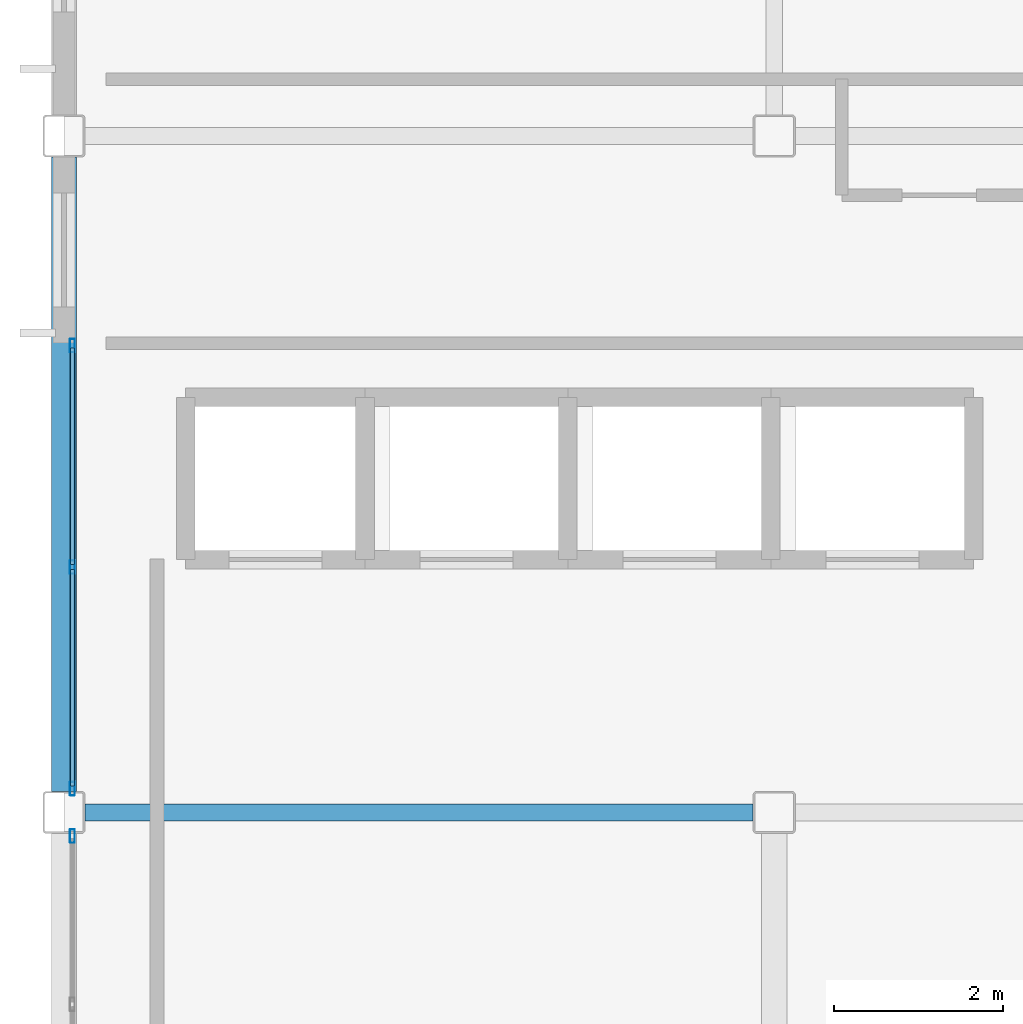
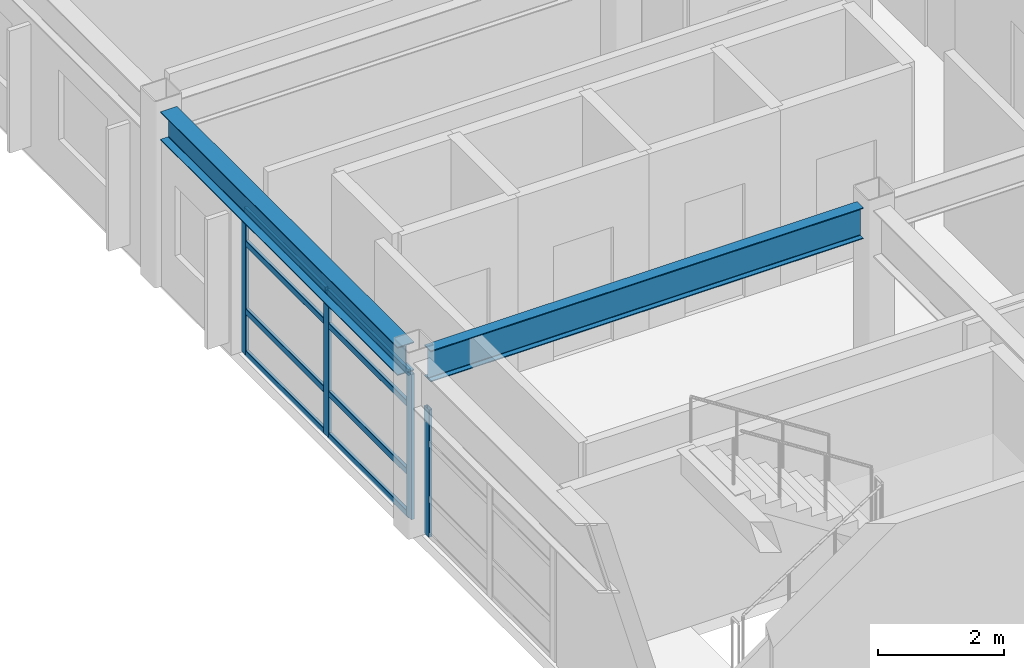
# One storey, part 16 of 35: 12 members, 2 beams, 2 elements without a shape of their own.
"""IFC4 building model written with IfcOpenShell, lengths in metres."""

from ifc_helpers import new_model, si_unit, direction, frame, origin, origin_2d, place, context, subcontext, project, spatial, hollow_rectangle, i_section, extrude, material, layer, layer_set, material_profile, profile_set, type_object, element, aggregate, save


model = new_model("IFC4")

# Units and contexts
model_context = context("Model", 3, precision=1e-05, world=origin(), true_north=direction((0.0, 1.0)))
body_context = subcontext(model_context, "Body", "Model", "MODEL_VIEW")
ifc_project = project(units=[si_unit("LENGTHUNIT", "METRE"), si_unit("AREAUNIT", "SQUARE_METRE"), si_unit("VOLUMEUNIT", "CUBIC_METRE"), si_unit("PLANEANGLEUNIT", "RADIAN"), si_unit("MASSUNIT", "GRAM", prefix="KILO")], contexts=[model_context])

# Site, building, storey
site_placement = place(None, origin())
site = spatial("IfcSite", under=ifc_project, at=site_placement, CompositionType="ELEMENT")
building_placement = place(site_placement, origin())
building = spatial("IfcBuilding", under=site, at=building_placement, Name="Kazehara Bluff Congress Hotel", CompositionType="ELEMENT")
storey_placement = place(building_placement, frame((0.0, 0.0, 35.39990234375)))
storey = spatial("IfcBuildingStorey", under=building, at=storey_placement, Name="L08", CompositionType="ELEMENT", Elevation=35.39990234375)

# Curtain wall, member
ifc_material_1 = material(Name="Anodised aluminium", Category="aluminium")
ifc_layer_1 = layer(ifc_material_1, 0.159912109375)
ifc_layer_set_1 = layer_set([ifc_layer_1], Name="Anodised aluminium")
curtain_wall_type_1 = type_object("IfcCurtainWallType", Name="TP-CW-191", PredefinedType="NOTDEFINED", material=ifc_layer_set_1)
curtain_wall_1_placement = place(storey_placement, origin())
curtain_wall_1 = element("IfcCurtainWall", 1, at=curtain_wall_1_placement, inside=storey, type_object=curtain_wall_type_1, Name="L08 curtain wall CW-191 CW-ENC-V5-L08-14380-5418", PredefinedType="NOTDEFINED")
ifc_material_2 = material(Name="Anodised aluminium", Category="aluminium")
ifc_material_profile_1 = material_profile(ifc_material_2, hollow_rectangle(XDim=0.06005859375, YDim=0.159912109375, WallThickness=0.00390625, InnerFilletRadius=0.00390625, OuterFilletRadius=0.008056640625, at=origin_2d()))
ifc_profile_set_1 = profile_set([ifc_material_profile_1], Name="Anodised aluminium")
member_type_1 = type_object("IfcMemberType", Name="TP-CWM-01", PredefinedType="MULLION", material=ifc_profile_set_1)
member_1_placement = place(storey_placement, frame((143.800048828125, 56.169921875, 0.0), z_axis=(0.0, 0.0, 1.0), x_axis=(-1.0, 0.0, 0.0)))
member_1 = element("IfcMember", 2, at=member_1_placement, type_object=member_type_1, Name="CW-191 mullion 3", PredefinedType="MULLION", context=body_context, shape_type="SweptSolid", body=[
    extrude(hollow_rectangle(XDim=0.06005859375, YDim=0.159912109375, WallThickness=0.00390625, InnerFilletRadius=0.00390625, OuterFilletRadius=0.008056640625, at=origin_2d()), origin(), (0.0, 0.0, 1.0), 2.455078125),
])
aggregate(curtain_wall_1, [member_1])

# Curtain wall, members
ifc_material_3 = material(Name="Anodised aluminium", Category="aluminium")
ifc_layer_2 = layer(ifc_material_3, 0.159912109375)
ifc_layer_set_2 = layer_set([ifc_layer_2], Name="Anodised aluminium")
curtain_wall_type_2 = type_object("IfcCurtainWallType", Name="TP-CW-192", PredefinedType="NOTDEFINED", material=ifc_layer_set_2)
curtain_wall_2_placement = place(storey_placement, origin())
curtain_wall_2 = element("IfcCurtainWall", 3, at=curtain_wall_2_placement, inside=storey, type_object=curtain_wall_type_2, Name="L08 curtain wall CW-192 CW-ENC-V5-L08-14380-5935", PredefinedType="NOTDEFINED")
member_2_placement = place(storey_placement, frame((143.800048828125, 56.72998046875, 0.0), z_axis=(0.0, 0.0, 1.0), x_axis=(-1.0, 0.0, 0.0)))
member_2 = element("IfcMember", 4, at=member_2_placement, type_object=member_type_1, Name="CW-192 mullion 1", PredefinedType="MULLION", context=body_context, shape_type="SweptSolid", body=[
    extrude(hollow_rectangle(XDim=0.06005859375, YDim=0.159912109375, WallThickness=0.00390625, InnerFilletRadius=0.00390625, OuterFilletRadius=0.008056640625, at=origin_2d()), origin(), (0.0, 0.0, 1.0), 2.80517578125),
])
member_3_placement = place(storey_placement, frame((143.800048828125, 59.35009765625, 0.0), z_axis=(0.0, 0.0, 1.0), x_axis=(-1.0, 0.0, 0.0)))
member_3 = element("IfcMember", 5, at=member_3_placement, type_object=member_type_1, Name="CW-192 mullion 2", PredefinedType="MULLION", context=body_context, shape_type="SweptSolid", body=[
    extrude(hollow_rectangle(XDim=0.06005859375, YDim=0.159912109375, WallThickness=0.00390625, InnerFilletRadius=0.00390625, OuterFilletRadius=0.008056640625, at=origin_2d()), origin(), (0.0, 0.0, 1.0), 2.80517578125),
])
member_4_placement = place(storey_placement, frame((143.800048828125, 61.969970703125, 0.0), z_axis=(0.0, 0.0, 1.0), x_axis=(-1.0, 0.0, 0.0)))
member_4 = element("IfcMember", 6, at=member_4_placement, type_object=member_type_1, Name="CW-192 mullion 3", PredefinedType="MULLION", context=body_context, shape_type="SweptSolid", body=[
    extrude(hollow_rectangle(XDim=0.06005859375, YDim=0.159912109375, WallThickness=0.00390625, InnerFilletRadius=0.00390625, OuterFilletRadius=0.008056640625, at=origin_2d()), origin(), (0.0, 0.0, 1.0), 2.80517578125),
])
ifc_material_4 = material(Name="Anodised aluminium", Category="aluminium")
ifc_material_profile_2 = material_profile(ifc_material_4, hollow_rectangle(XDim=0.06005859375, YDim=0.1201171875, WallThickness=0.00390625, InnerFilletRadius=0.00390625, OuterFilletRadius=0.008056640625, at=origin_2d()))
ifc_profile_set_2 = profile_set([ifc_material_profile_2], Name="Anodised aluminium")
member_type_2 = type_object("IfcMemberType", Name="TP-CWT-01", PredefinedType="USERDEFINED", material=ifc_profile_set_2)
member_5_placement = place(storey_placement, frame((143.800048828125, 56.760009765625, 0.030029296875), z_axis=(0.0, 1.0, 0.0), x_axis=(-1.0, 0.0, 0.0)))
member_5 = element("IfcMember", 7, at=member_5_placement, type_object=member_type_2, Name="CW-192 transom 1.1", ObjectType="TRANSOM", PredefinedType="USERDEFINED", context=body_context, shape_type="SweptSolid", body=[
    extrude(hollow_rectangle(XDim=0.06005859375, YDim=0.1201171875, WallThickness=0.00390625, InnerFilletRadius=0.00390625, OuterFilletRadius=0.008056640625, at=origin_2d()), origin(), (0.0, 0.0, 1.0), 2.56005859375),
])
member_6_placement = place(storey_placement, frame((143.800048828125, 56.760009765625, 0.840087890625), z_axis=(0.0, 1.0, 0.0), x_axis=(-1.0, 0.0, 0.0)))
member_6 = element("IfcMember", 8, at=member_6_placement, type_object=member_type_2, Name="CW-192 transom 1.2", ObjectType="TRANSOM", PredefinedType="USERDEFINED", context=body_context, shape_type="SweptSolid", body=[
    extrude(hollow_rectangle(XDim=0.06005859375, YDim=0.1201171875, WallThickness=0.00390625, InnerFilletRadius=0.00390625, OuterFilletRadius=0.008056640625, at=origin_2d()), origin(), (0.0, 0.0, 1.0), 2.56005859375),
])
member_7_placement = place(storey_placement, frame((143.800048828125, 56.760009765625, 2.155029296875), z_axis=(0.0, 1.0, 0.0), x_axis=(-1.0, 0.0, 0.0)))
member_7 = element("IfcMember", 9, at=member_7_placement, type_object=member_type_2, Name="CW-192 transom 1.3", ObjectType="TRANSOM", PredefinedType="USERDEFINED", context=body_context, shape_type="SweptSolid", body=[
    extrude(hollow_rectangle(XDim=0.06005859375, YDim=0.1201171875, WallThickness=0.00390625, InnerFilletRadius=0.00390625, OuterFilletRadius=0.008056640625, at=origin_2d()), origin(), (0.0, 0.0, 1.0), 2.56005859375),
])
member_8_placement = place(storey_placement, frame((143.800048828125, 56.760009765625, 2.775146484375), z_axis=(0.0, 1.0, 0.0), x_axis=(-1.0, 0.0, 0.0)))
member_8 = element("IfcMember", 10, at=member_8_placement, type_object=member_type_2, Name="CW-192 transom 1.4", ObjectType="TRANSOM", PredefinedType="USERDEFINED", context=body_context, shape_type="SweptSolid", body=[
    extrude(hollow_rectangle(XDim=0.06005859375, YDim=0.1201171875, WallThickness=0.00390625, InnerFilletRadius=0.00390625, OuterFilletRadius=0.008056640625, at=origin_2d()), origin(), (0.0, 0.0, 1.0), 2.56005859375),
])
member_9_placement = place(storey_placement, frame((143.800048828125, 59.3798828125, 0.030029296875), z_axis=(0.0, 1.0, 0.0), x_axis=(-1.0, 0.0, 0.0)))
member_9 = element("IfcMember", 11, at=member_9_placement, type_object=member_type_2, Name="CW-192 transom 2.1", ObjectType="TRANSOM", PredefinedType="USERDEFINED", context=body_context, shape_type="SweptSolid", body=[
    extrude(hollow_rectangle(XDim=0.06005859375, YDim=0.1201171875, WallThickness=0.00390625, InnerFilletRadius=0.00390625, OuterFilletRadius=0.008056640625, at=origin_2d()), origin(), (0.0, 0.0, 1.0), 2.56005859375),
])
member_10_placement = place(storey_placement, frame((143.800048828125, 59.3798828125, 0.840087890625), z_axis=(0.0, 1.0, 0.0), x_axis=(-1.0, 0.0, 0.0)))
member_10 = element("IfcMember", 12, at=member_10_placement, type_object=member_type_2, Name="CW-192 transom 2.2", ObjectType="TRANSOM", PredefinedType="USERDEFINED", context=body_context, shape_type="SweptSolid", body=[
    extrude(hollow_rectangle(XDim=0.06005859375, YDim=0.1201171875, WallThickness=0.00390625, InnerFilletRadius=0.00390625, OuterFilletRadius=0.008056640625, at=origin_2d()), origin(), (0.0, 0.0, 1.0), 2.56005859375),
])
member_11_placement = place(storey_placement, frame((143.800048828125, 59.3798828125, 2.155029296875), z_axis=(0.0, 1.0, 0.0), x_axis=(-1.0, 0.0, 0.0)))
member_11 = element("IfcMember", 13, at=member_11_placement, type_object=member_type_2, Name="CW-192 transom 2.3", ObjectType="TRANSOM", PredefinedType="USERDEFINED", context=body_context, shape_type="SweptSolid", body=[
    extrude(hollow_rectangle(XDim=0.06005859375, YDim=0.1201171875, WallThickness=0.00390625, InnerFilletRadius=0.00390625, OuterFilletRadius=0.008056640625, at=origin_2d()), origin(), (0.0, 0.0, 1.0), 2.56005859375),
])
member_12_placement = place(storey_placement, frame((143.800048828125, 59.3798828125, 2.775146484375), z_axis=(0.0, 1.0, 0.0), x_axis=(-1.0, 0.0, 0.0)))
member_12 = element("IfcMember", 14, at=member_12_placement, type_object=member_type_2, Name="CW-192 transom 2.4", ObjectType="TRANSOM", PredefinedType="USERDEFINED", context=body_context, shape_type="SweptSolid", body=[
    extrude(hollow_rectangle(XDim=0.06005859375, YDim=0.1201171875, WallThickness=0.00390625, InnerFilletRadius=0.00390625, OuterFilletRadius=0.008056640625, at=origin_2d()), origin(), (0.0, 0.0, 1.0), 2.56005859375),
])
aggregate(curtain_wall_2, [member_2, member_3, member_4, member_5, member_6, member_7, member_8, member_9, member_10, member_11, member_12])

# Beams
ifc_material_5 = material(Name="Steel SN490B", Category="steel")
ifc_material_profile_3 = material_profile(ifc_material_5, i_section(OverallWidth=0.199951171875, OverallDepth=0.60009765625, WebThickness=0.010986328125, FlangeThickness=0.01708984375, FilletRadius=0.012939453125, at=origin_2d()))
ifc_profile_set_3 = profile_set([ifc_material_profile_3], Name="Steel SN490B")
beam_type_1 = type_object("IfcBeamType", Name="TP-G-02", PredefinedType="BEAM", material=ifc_profile_set_3)
beam_1_placement = place(storey_placement, frame((143.949951171875, 56.449951171875, 3.080078125), z_axis=(1.0, 0.0, 0.0), x_axis=(0.0, 1.0, 0.0)))
element("IfcBeam", 15, at=beam_1_placement, inside=storey, type_object=beam_type_1, Name="L08 girder G-02 52", PredefinedType="BEAM", context=body_context, shape_type="SweptSolid", body=[
    extrude(i_section(OverallWidth=0.199951171875, OverallDepth=0.60009765625, WebThickness=0.010986328125, FlangeThickness=0.01708984375, FilletRadius=0.012939453125, at=origin_2d()), origin(), (0.0, 0.0, 1.0), 7.900146484375),
])
ifc_material_6 = material(Name="Steel SN490B", Category="steel")
ifc_material_profile_4 = material_profile(ifc_material_6, i_section(OverallWidth=0.300048828125, OverallDepth=0.550048828125, WebThickness=0.010986328125, FlangeThickness=0.01806640625, FilletRadius=0.012939453125, at=origin_2d()))
ifc_profile_set_4 = profile_set([ifc_material_profile_4], Name="Steel SN490B")
beam_type_2 = type_object("IfcBeamType", Name="TP-SP-01", PredefinedType="SPANDREL", material=ifc_profile_set_4)
beam_2_placement = place(storey_placement, frame((143.699951171875, 56.699951171875, 3.10498046875), z_axis=(0.0, 1.0, 0.0), x_axis=(-1.0, 0.0, 0.0)))
element("IfcBeam", 16, at=beam_2_placement, inside=storey, type_object=beam_type_2, Name="L08 girder SP-01 6", PredefinedType="SPANDREL", context=body_context, shape_type="SweptSolid", body=[
    extrude(i_section(OverallWidth=0.300048828125, OverallDepth=0.550048828125, WebThickness=0.010986328125, FlangeThickness=0.01806640625, FilletRadius=0.012939453125, at=origin_2d()), origin(), (0.0, 0.0, 1.0), 7.5),
])

save(model, "model.ifc")
